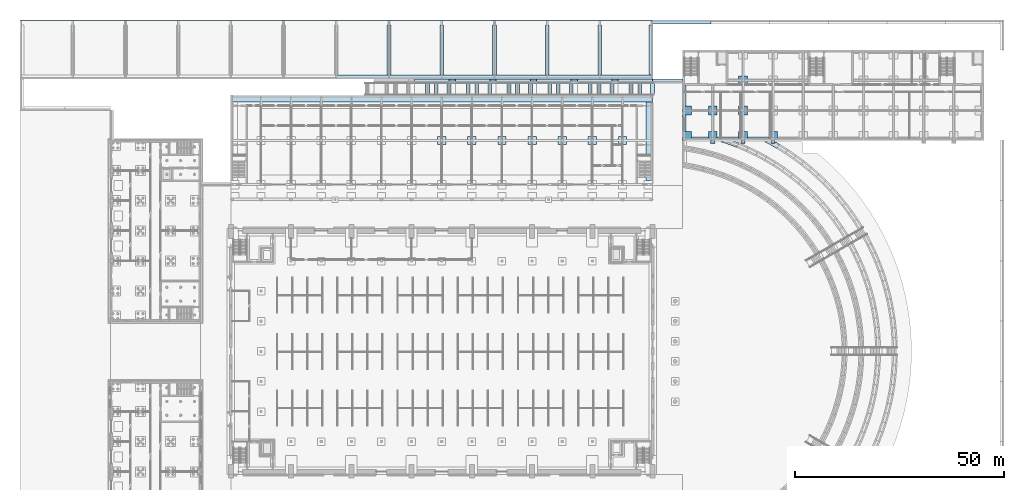
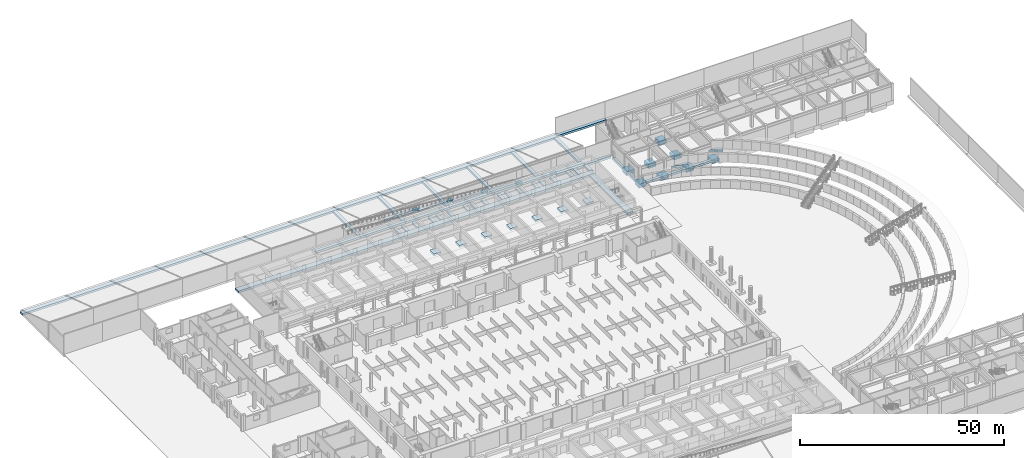
# One storey, part 12 of 73: 71 footings.
"""IFC4 building model written with IfcOpenShell, lengths in metres."""

from ifc_helpers import new_model, si_unit, direction, frame, origin, origin_2d, place, context, subcontext, project, spatial, polyline, rectangle, outline, extrude, material, type_object, element, save


model = new_model("IFC4")

# Units and contexts
model_context = context("Model", 3, precision=1e-05, world=origin(), true_north=direction((0.0, 1.0)))
body_context = subcontext(model_context, "Body", "Model", "MODEL_VIEW")
ifc_project = project(units=[si_unit("LENGTHUNIT", "METRE"), si_unit("AREAUNIT", "SQUARE_METRE"), si_unit("VOLUMEUNIT", "CUBIC_METRE"), si_unit("PLANEANGLEUNIT", "RADIAN"), si_unit("MASSUNIT", "GRAM", prefix="KILO")], contexts=[model_context])

# Site, building, storey
site_placement = place(None, origin())
site = spatial("IfcSite", under=ifc_project, at=site_placement, CompositionType="ELEMENT")
building_placement = place(site_placement, origin())
building = spatial("IfcBuilding", under=site, at=building_placement, Name="Alderwick Market Hall", CompositionType="ELEMENT")
storey_placement = place(building_placement, origin())
storey = spatial("IfcBuildingStorey", under=building, at=storey_placement, Name="LG", CompositionType="ELEMENT", Elevation=0.0)

# Footings
ifc_material = material(Name="Concrete 4000 psi (f'c 28 MPa)", Category="concrete")
footing_type_1 = type_object("IfcFootingType", Name="A Pad Footing 2000x2000x600", PredefinedType="PAD_FOOTING", material=ifc_material)
footing_1_placement = place(storey_placement, frame((0.0, 0.0, -0.60009765625)))
element("IfcFooting", 1, at=footing_1_placement, inside=storey, type_object=footing_type_1, Name="A.N.pad.M06", PredefinedType="PAD_FOOTING", context=body_context, shape_type="SweptSolid", body=[
    extrude(outline(polyline([(99.800048828125, 128.60009765625), (101.800048828125, 128.60009765625), (101.800048828125, 130.60009765625), (99.800048828125, 130.60009765625), (99.800048828125, 128.60009765625)])), origin(), (0.0, 0.0, 1.0), 0.60009765625),
])
footing_2_placement = place(storey_placement, frame((0.0, 0.0, -0.60009765625)))
element("IfcFooting", 2, at=footing_2_placement, inside=storey, type_object=footing_type_1, Name="A.N.pad.M07", PredefinedType="PAD_FOOTING", context=body_context, shape_type="SweptSolid", body=[
    extrude(outline(polyline([(107.0, 128.60009765625), (109.0, 128.60009765625), (109.0, 130.60009765625), (107.0, 130.60009765625), (107.0, 128.60009765625)])), origin(), (0.0, 0.0, 1.0), 0.60009765625),
])
footing_3_placement = place(storey_placement, frame((0.0, 0.0, -0.60009765625)))
element("IfcFooting", 3, at=footing_3_placement, inside=storey, type_object=footing_type_1, Name="A.N.pad.M08", PredefinedType="PAD_FOOTING", context=body_context, shape_type="SweptSolid", body=[
    extrude(outline(polyline([(114.199951171875, 128.60009765625), (116.199951171875, 128.60009765625), (116.199951171875, 130.60009765625), (114.199951171875, 130.60009765625), (114.199951171875, 128.60009765625)])), origin(), (0.0, 0.0, 1.0), 0.60009765625),
])
footing_4_placement = place(storey_placement, frame((0.0, 0.0, -0.60009765625)))
element("IfcFooting", 4, at=footing_4_placement, inside=storey, type_object=footing_type_1, Name="A.N.pad.M09", PredefinedType="PAD_FOOTING", context=body_context, shape_type="SweptSolid", body=[
    extrude(outline(polyline([(121.39990234375, 128.60009765625), (123.39990234375, 128.60009765625), (123.39990234375, 130.60009765625), (121.39990234375, 130.60009765625), (121.39990234375, 128.60009765625)])), origin(), (0.0, 0.0, 1.0), 0.60009765625),
])
footing_5_placement = place(storey_placement, frame((0.0, 0.0, -0.60009765625)))
element("IfcFooting", 5, at=footing_5_placement, inside=storey, type_object=footing_type_1, Name="A.N.pad.M10", PredefinedType="PAD_FOOTING", context=body_context, shape_type="SweptSolid", body=[
    extrude(outline(polyline([(128.60009765625, 128.60009765625), (130.60009765625, 128.60009765625), (130.60009765625, 130.60009765625), (128.60009765625, 130.60009765625), (128.60009765625, 128.60009765625)])), origin(), (0.0, 0.0, 1.0), 0.60009765625),
])
footing_6_placement = place(storey_placement, frame((0.0, 0.0, -0.60009765625)))
element("IfcFooting", 6, at=footing_6_placement, inside=storey, type_object=footing_type_1, Name="A.N.pad.M11", PredefinedType="PAD_FOOTING", context=body_context, shape_type="SweptSolid", body=[
    extrude(outline(polyline([(135.800048828125, 128.60009765625), (137.800048828125, 128.60009765625), (137.800048828125, 130.60009765625), (135.800048828125, 130.60009765625), (135.800048828125, 128.60009765625)])), origin(), (0.0, 0.0, 1.0), 0.60009765625),
])
footing_7_placement = place(storey_placement, frame((0.0, 0.0, -0.60009765625)))
element("IfcFooting", 7, at=footing_7_placement, inside=storey, type_object=footing_type_1, Name="A.N.pad.M12", PredefinedType="PAD_FOOTING", context=body_context, shape_type="SweptSolid", body=[
    extrude(outline(polyline([(143.0, 128.60009765625), (145.0, 128.60009765625), (145.0, 130.60009765625), (143.0, 130.60009765625), (143.0, 128.60009765625)])), origin(), (0.0, 0.0, 1.0), 0.60009765625),
])
footing_type_2 = type_object("IfcFootingType", Name="A Strip Footing 1600x600", PredefinedType="STRIP_FOOTING", material=ifc_material)
footing_8_placement = place(storey_placement, frame((0.0, 0.0, -0.60009765625)))
element("IfcFooting", 8, at=footing_8_placement, inside=storey, type_object=footing_type_2, Name="A.N.strip.rear", PredefinedType="STRIP_FOOTING", context=body_context, shape_type="SweptSolid", body=[
    extrude(outline(polyline([(50.39990234375, 138.800048828125), (151.199951171875, 138.800048828125), (151.199951171875, 140.39990234375), (50.39990234375, 140.39990234375), (50.39990234375, 138.800048828125)])), origin(), (0.0, 0.0, 1.0), 0.60009765625),
])
footing_9_placement = place(storey_placement, frame((0.0, 0.0, -0.60009765625)))
element("IfcFooting", 9, at=footing_9_placement, inside=storey, type_object=footing_type_2, Name="A.N.strip.E", PredefinedType="STRIP_FOOTING", context=body_context, shape_type="SweptSolid", body=[
    extrude(outline(polyline([(149.60009765625, 120.050048828125), (151.199951171875, 120.050048828125), (151.199951171875, 138.800048828125), (149.60009765625, 138.800048828125), (149.60009765625, 120.050048828125)])), origin(), (0.0, 0.0, 1.0), 0.60009765625),
])
footing_type_3 = type_object("IfcFootingType", Name="F Pad Footing 2100x2100x1200", PredefinedType="PAD_FOOTING", material=ifc_material)
for number, where, z_axis, x_axis, name in (
    (10, (159.449951171875, 130.64990234375, -1.5), (0.0, 0.0, 1.0), (1.0, 0.0, 0.0), "F.cap.LG.01"),
    (11, (165.60009765625, 130.64990234375, -1.5), (0.0, 0.0, 1.0), (1.0, 0.0, 0.0), "F.cap.LG.02"),
    (12, (172.800048828125, 130.64990234375, -1.5), (0.0, 0.0, 1.0), (1.0, 0.0, 0.0), "F.cap.LG.03"),
    (13, (180.0, 130.64990234375, -1.5), (0.0, 0.0, 1.0), (1.0, 0.0, 0.0), "F.cap.LG.04"),
    (14, (159.449951171875, 136.800048828125, -1.5), (0.0, 0.0, 1.0), (1.0, 0.0, 0.0), "F.cap.LG.12"),
    (15, (165.60009765625, 136.800048828125, -1.5), (0.0, 0.0, 1.0), (1.0, 0.0, 0.0), "F.cap.LG.13"),
    (16, (172.800048828125, 136.800048828125, -1.5), (0.0, 0.0, 1.0), (1.0, 0.0, 0.0), "F.cap.LG.14"),
    (17, (172.800048828125, 144.0, -1.5), (0.0, 0.0, 1.0), (1.0, 0.0, 0.0), "F.cap.LG.23"),
):
    element("IfcFooting", number, at=place(storey_placement, frame(where, z_axis=z_axis, x_axis=x_axis)), inside=storey, type_object=footing_type_3, Name=name, PredefinedType="PAD_FOOTING", context=body_context, shape_type="SweptSolid", body=[
        extrude(rectangle(XDim=2.10009765625, YDim=2.10009765625, at=origin_2d()), origin(), (0.0, 0.0, 1.0), 1.199951171875),
    ])
footing_type_4 = type_object("IfcFootingType", Name="F Pilaster Pad Footing 1000x700x600", PredefinedType="PAD_FOOTING", material=ifc_material)
for number, where, z_axis, x_axis, name in (
    (18, (165.60009765625, 129.25, -0.900146484375), (0.0, 0.0, 1.0), (1.0, 0.0, 0.0), "F.pilaster.foot.LG.001"),
    (19, (172.800048828125, 129.25, -0.900146484375), (0.0, 0.0, 1.0), (1.0, 0.0, 0.0), "F.pilaster.foot.LG.005"),
    (20, (180.0, 129.25, -0.900146484375), (0.0, 0.0, 1.0), (1.0, 0.0, 0.0), "F.pilaster.foot.LG.009"),
):
    element("IfcFooting", number, at=place(storey_placement, frame(where, z_axis=z_axis, x_axis=x_axis)), inside=storey, type_object=footing_type_4, Name=name, PredefinedType="PAD_FOOTING", context=body_context, shape_type="SweptSolid", body=[
        extrude(rectangle(XDim=1.0, YDim=0.699951171875, at=origin_2d()), origin(), (0.0, 0.0, 1.0), 0.60009765625),
    ])
footing_type_5 = type_object("IfcFootingType", Name="F Strip Footing 800x600", PredefinedType="STRIP_FOOTING", material=ifc_material)
footing_10_placement = place(storey_placement, frame((0.0, 0.0, -0.89990234375)))
element("IfcFooting", 21, at=footing_10_placement, inside=storey, type_object=footing_type_5, Name="F.strip.LG.01", PredefinedType="STRIP_FOOTING", context=body_context, shape_type="SweptSolid", body=[
    extrude(outline(polyline([(160.5009765625, 129.60009765625), (164.549072265625, 129.60009765625), (164.549072265625, 130.39990234375), (160.5009765625, 130.39990234375), (160.5009765625, 129.60009765625)])), origin(), (0.0, 0.0, 1.0), 0.599853515625),
])
footing_11_placement = place(storey_placement, frame((0.0, 0.0, -0.89990234375)))
element("IfcFooting", 22, at=footing_11_placement, inside=storey, type_object=footing_type_5, Name="F.strip.LG.02", PredefinedType="STRIP_FOOTING", context=body_context, shape_type="SweptSolid", body=[
    extrude(outline(polyline([(166.65087890625, 129.60009765625), (171.7490234375, 129.60009765625), (171.7490234375, 130.39990234375), (166.65087890625, 130.39990234375), (166.65087890625, 129.60009765625)])), origin(), (0.0, 0.0, 1.0), 0.599853515625),
])
footing_12_placement = place(storey_placement, frame((0.0, 0.0, -0.89990234375)))
element("IfcFooting", 23, at=footing_12_placement, inside=storey, type_object=footing_type_5, Name="F.strip.LG.03", PredefinedType="STRIP_FOOTING", context=body_context, shape_type="SweptSolid", body=[
    extrude(outline(polyline([(173.85107421875, 129.60009765625), (178.948974609375, 129.60009765625), (178.948974609375, 130.39990234375), (173.85107421875, 130.39990234375), (173.85107421875, 129.60009765625)])), origin(), (0.0, 0.0, 1.0), 0.599853515625),
])
footing_13_placement = place(storey_placement, frame((0.0, 0.0, -0.89990234375)))
element("IfcFooting", 24, at=footing_13_placement, inside=storey, type_object=footing_type_5, Name="F.strip.LG.18", PredefinedType="STRIP_FOOTING", context=body_context, shape_type="SweptSolid", body=[
    extrude(outline(polyline([(158.39990234375, 131.700927734375), (159.199951171875, 131.700927734375), (159.199951171875, 135.7490234375), (158.39990234375, 135.7490234375), (158.39990234375, 131.700927734375)])), origin(), (0.0, 0.0, 1.0), 0.599853515625),
])
footing_14_placement = place(storey_placement, frame((0.0, 0.0, -0.89990234375)))
element("IfcFooting", 25, at=footing_14_placement, inside=storey, type_object=footing_type_5, Name="F.strip.LG.19", PredefinedType="STRIP_FOOTING", context=body_context, shape_type="SweptSolid", body=[
    extrude(outline(polyline([(158.39990234375, 137.85107421875), (159.199951171875, 137.85107421875), (159.199951171875, 142.799072265625), (158.39990234375, 142.799072265625), (158.39990234375, 137.85107421875)])), origin(), (0.0, 0.0, 1.0), 0.599853515625),
])
footing_type_6 = type_object("IfcFootingType", Name="S Strip Footing 900", PredefinedType="STRIP_FOOTING", material=ifc_material)
footing_15_placement = place(storey_placement, frame((0.0, 0.0, 1.5)))
element("IfcFooting", 26, at=footing_15_placement, inside=storey, type_object=footing_type_6, Name="S.ffoot.W3.52", PredefinedType="STRIP_FOOTING", context=body_context, shape_type="SweptSolid", body=[
    extrude(outline(polyline([(171.783203125, 129.05517578125), (170.982177734375, 129.35009765625), (167.2890625, 129.35009765625), (167.322509765625, 129.340087890625), (168.189453125, 129.068603515625), (169.0517578125, 128.7822265625), (171.342529296875, 127.93896484375), (171.783203125, 129.05517578125)])), origin(), (0.0, 0.0, 1.0), 0.60009765625),
])
footing_16_placement = place(storey_placement, frame((0.0, 0.0, 2.699951171875)))
element("IfcFooting", 27, at=footing_16_placement, inside=storey, type_object=footing_type_6, Name="S.ffoot.W4.50", PredefinedType="STRIP_FOOTING", context=body_context, shape_type="SweptSolid", body=[
    extrude(outline(polyline([(181.53662109375, 128.710205078125), (180.408203125, 129.35009765625), (177.903076171875, 129.35009765625), (178.055419921875, 129.272705078125), (178.90673828125, 128.822021484375), (180.92333984375, 127.6787109375), (181.53662109375, 128.710205078125)])), origin(), (0.0, 0.0, 1.0), 0.60009765625),
])
footing_17_placement = place(storey_placement, frame((0.0, 0.0, -0.85009765625)))
element("IfcFooting", 28, at=footing_17_placement, inside=storey, type_object=footing_type_6, Name="S.tfoot.N.01", PredefinedType="STRIP_FOOTING", context=body_context, shape_type="SweptSolid", body=[
    extrude(outline(polyline([(158.39990234375, 143.39990234375), (158.39990234375, 144.300048828125), (151.199951171875, 144.300048828125), (151.199951171875, 143.39990234375), (158.39990234375, 143.39990234375)])), origin(), (0.0, 0.0, 1.0), 0.60009765625),
])
footing_18_placement = place(storey_placement, frame((0.0, 0.0, -0.85009765625)))
element("IfcFooting", 29, at=footing_18_placement, inside=storey, type_object=footing_type_6, Name="S.tfoot.N.02", PredefinedType="STRIP_FOOTING", context=body_context, shape_type="SweptSolid", body=[
    extrude(outline(polyline([(151.199951171875, 143.39990234375), (151.199951171875, 144.300048828125), (142.970947265625, 144.300048828125), (142.970947265625, 143.39990234375), (151.199951171875, 143.39990234375)])), origin(), (0.0, 0.0, 1.0), 0.60009765625),
])
footing_19_placement = place(storey_placement, frame((0.0, 0.0, -0.164306640625)))
element("IfcFooting", 30, at=footing_19_placement, inside=storey, type_object=footing_type_6, Name="S.tfoot.N.03", PredefinedType="STRIP_FOOTING", context=body_context, shape_type="SweptSolid", body=[
    extrude(outline(polyline([(142.970947265625, 143.39990234375), (142.970947265625, 144.300048828125), (141.470947265625, 144.300048828125), (141.470947265625, 143.39990234375), (142.970947265625, 143.39990234375)])), origin(), (0.0, 0.0, 1.0), 0.60009765625),
])
footing_20_placement = place(storey_placement, frame((0.0, 0.0, -0.164306640625)))
element("IfcFooting", 31, at=footing_20_placement, inside=storey, type_object=footing_type_6, Name="S.tfoot.N.04", PredefinedType="STRIP_FOOTING", context=body_context, shape_type="SweptSolid", body=[
    extrude(outline(polyline([(141.470947265625, 143.39990234375), (141.470947265625, 144.300048828125), (133.242919921875, 144.300048828125), (133.242919921875, 143.39990234375), (141.470947265625, 143.39990234375)])), origin(), (0.0, 0.0, 1.0), 0.60009765625),
])
footing_21_placement = place(storey_placement, frame((0.0, 0.0, 0.521484375)))
element("IfcFooting", 32, at=footing_21_placement, inside=storey, type_object=footing_type_6, Name="S.tfoot.N.05", PredefinedType="STRIP_FOOTING", context=body_context, shape_type="SweptSolid", body=[
    extrude(outline(polyline([(133.242919921875, 143.39990234375), (133.242919921875, 144.300048828125), (131.742919921875, 144.300048828125), (131.742919921875, 143.39990234375), (133.242919921875, 143.39990234375)])), origin(), (0.0, 0.0, 1.0), 0.599853515625),
])
footing_22_placement = place(storey_placement, frame((0.0, 0.0, 0.521484375)))
element("IfcFooting", 33, at=footing_22_placement, inside=storey, type_object=footing_type_6, Name="S.tfoot.N.06", PredefinedType="STRIP_FOOTING", context=body_context, shape_type="SweptSolid", body=[
    extrude(outline(polyline([(131.742919921875, 143.39990234375), (131.742919921875, 144.300048828125), (123.513916015625, 144.300048828125), (123.513916015625, 143.39990234375), (131.742919921875, 143.39990234375)])), origin(), (0.0, 0.0, 1.0), 0.599853515625),
])
footing_23_placement = place(storey_placement, frame((0.0, 0.0, 1.20703125)))
element("IfcFooting", 34, at=footing_23_placement, inside=storey, type_object=footing_type_6, Name="S.tfoot.N.07", PredefinedType="STRIP_FOOTING", context=body_context, shape_type="SweptSolid", body=[
    extrude(outline(polyline([(123.513916015625, 143.39990234375), (123.513916015625, 144.300048828125), (122.013916015625, 144.300048828125), (122.013916015625, 143.39990234375), (123.513916015625, 143.39990234375)])), origin(), (0.0, 0.0, 1.0), 0.60009765625),
])
footing_24_placement = place(storey_placement, frame((0.0, 0.0, 1.20703125)))
element("IfcFooting", 35, at=footing_24_placement, inside=storey, type_object=footing_type_6, Name="S.tfoot.N.08", PredefinedType="STRIP_FOOTING", context=body_context, shape_type="SweptSolid", body=[
    extrude(outline(polyline([(122.013916015625, 143.39990234375), (122.013916015625, 144.300048828125), (113.785888671875, 144.300048828125), (113.785888671875, 143.39990234375), (122.013916015625, 143.39990234375)])), origin(), (0.0, 0.0, 1.0), 0.60009765625),
])
footing_25_placement = place(storey_placement, frame((0.0, 0.0, 1.892822265625)))
element("IfcFooting", 36, at=footing_25_placement, inside=storey, type_object=footing_type_6, Name="S.tfoot.N.09", PredefinedType="STRIP_FOOTING", context=body_context, shape_type="SweptSolid", body=[
    extrude(outline(polyline([(113.785888671875, 143.39990234375), (113.785888671875, 144.300048828125), (112.285888671875, 144.300048828125), (112.285888671875, 143.39990234375), (113.785888671875, 143.39990234375)])), origin(), (0.0, 0.0, 1.0), 0.60009765625),
])
footing_26_placement = place(storey_placement, frame((0.0, 0.0, 1.892822265625)))
element("IfcFooting", 37, at=footing_26_placement, inside=storey, type_object=footing_type_6, Name="S.tfoot.N.10", PredefinedType="STRIP_FOOTING", context=body_context, shape_type="SweptSolid", body=[
    extrude(outline(polyline([(112.285888671875, 143.39990234375), (112.285888671875, 144.300048828125), (104.056884765625, 144.300048828125), (104.056884765625, 143.39990234375), (112.285888671875, 143.39990234375)])), origin(), (0.0, 0.0, 1.0), 0.60009765625),
])
footing_27_placement = place(storey_placement, frame((0.0, 0.0, 2.57861328125)))
element("IfcFooting", 38, at=footing_27_placement, inside=storey, type_object=footing_type_6, Name="S.tfoot.N.11", PredefinedType="STRIP_FOOTING", context=body_context, shape_type="SweptSolid", body=[
    extrude(outline(polyline([(104.056884765625, 143.39990234375), (104.056884765625, 144.300048828125), (102.556884765625, 144.300048828125), (102.556884765625, 143.39990234375), (104.056884765625, 143.39990234375)])), origin(), (0.0, 0.0, 1.0), 0.60009765625),
])
footing_28_placement = place(storey_placement, frame((0.0, 0.0, 2.57861328125)))
element("IfcFooting", 39, at=footing_28_placement, inside=storey, type_object=footing_type_6, Name="S.tfoot.N.12", PredefinedType="STRIP_FOOTING", context=body_context, shape_type="SweptSolid", body=[
    extrude(outline(polyline([(102.556884765625, 143.39990234375), (102.556884765625, 144.300048828125), (94.3291015625, 144.300048828125), (94.3291015625, 143.39990234375), (102.556884765625, 143.39990234375)])), origin(), (0.0, 0.0, 1.0), 0.60009765625),
])
footing_29_placement = place(storey_placement, frame((0.0, 0.0, -0.85009765625)))
element("IfcFooting", 40, at=footing_29_placement, inside=storey, type_object=footing_type_6, Name="Ramp support footing N1a", PredefinedType="STRIP_FOOTING", context=body_context, shape_type="SweptSolid", body=[
    extrude(outline(polyline([(151.64990234375, 140.39990234375), (151.64990234375, 143.39990234375), (150.75, 143.39990234375), (150.75, 140.39990234375), (151.64990234375, 140.39990234375)])), origin(), (0.0, 0.0, 1.0), 0.60009765625),
])
footing_30_placement = place(storey_placement, frame((0.0, 0.0, -0.85009765625)))
element("IfcFooting", 41, at=footing_30_placement, inside=storey, type_object=footing_type_6, Name="Ramp support footing N1b", PredefinedType="STRIP_FOOTING", context=body_context, shape_type="SweptSolid", body=[
    extrude(outline(polyline([(148.564208984375, 140.39990234375), (148.564208984375, 143.39990234375), (147.6640625, 143.39990234375), (147.6640625, 140.39990234375), (148.564208984375, 140.39990234375)])), origin(), (0.0, 0.0, 1.0), 0.60009765625),
])
footing_31_placement = place(storey_placement, frame((0.0, 0.0, -0.85009765625)))
element("IfcFooting", 42, at=footing_31_placement, inside=storey, type_object=footing_type_6, Name="Ramp support footing N1d", PredefinedType="STRIP_FOOTING", context=body_context, shape_type="SweptSolid", body=[
    extrude(outline(polyline([(146.5068359375, 140.39990234375), (146.5068359375, 143.39990234375), (145.60693359375, 143.39990234375), (145.60693359375, 140.39990234375), (146.5068359375, 140.39990234375)])), origin(), (0.0, 0.0, 1.0), 0.60009765625),
])
footing_32_placement = place(storey_placement, frame((0.0, 0.0, -0.85009765625)))
element("IfcFooting", 43, at=footing_32_placement, inside=storey, type_object=footing_type_6, Name="Ramp support footing N1c", PredefinedType="STRIP_FOOTING", context=body_context, shape_type="SweptSolid", body=[
    extrude(outline(polyline([(141.9208984375, 140.39990234375), (141.9208984375, 143.39990234375), (141.02099609375, 143.39990234375), (141.02099609375, 140.39990234375), (141.9208984375, 140.39990234375)])), origin(), (0.0, 0.0, 1.0), 0.60009765625),
])
footing_33_placement = place(storey_placement, frame((0.0, 0.0, -0.85009765625)))
element("IfcFooting", 44, at=footing_33_placement, inside=storey, type_object=footing_type_6, Name="Ramp support footing N2b", PredefinedType="STRIP_FOOTING", context=body_context, shape_type="SweptSolid", body=[
    extrude(outline(polyline([(138.83544921875, 140.39990234375), (138.83544921875, 143.39990234375), (137.935546875, 143.39990234375), (137.935546875, 140.39990234375), (138.83544921875, 140.39990234375)])), origin(), (0.0, 0.0, 1.0), 0.60009765625),
])
footing_34_placement = place(storey_placement, frame((0.0, 0.0, -0.85009765625)))
element("IfcFooting", 45, at=footing_34_placement, inside=storey, type_object=footing_type_6, Name="Ramp support footing N2d", PredefinedType="STRIP_FOOTING", context=body_context, shape_type="SweptSolid", body=[
    extrude(outline(polyline([(136.778564453125, 140.39990234375), (136.778564453125, 143.39990234375), (135.87841796875, 143.39990234375), (135.87841796875, 140.39990234375), (136.778564453125, 140.39990234375)])), origin(), (0.0, 0.0, 1.0), 0.60009765625),
])
footing_35_placement = place(storey_placement, frame((0.0, 0.0, -0.85009765625)))
element("IfcFooting", 46, at=footing_35_placement, inside=storey, type_object=footing_type_6, Name="Ramp support footing N2c", PredefinedType="STRIP_FOOTING", context=body_context, shape_type="SweptSolid", body=[
    extrude(outline(polyline([(132.193115234375, 140.39990234375), (132.193115234375, 143.39990234375), (131.29296875, 143.39990234375), (131.29296875, 140.39990234375), (132.193115234375, 140.39990234375)])), origin(), (0.0, 0.0, 1.0), 0.60009765625),
])
footing_36_placement = place(storey_placement, frame((0.0, 0.0, -0.85009765625)))
element("IfcFooting", 47, at=footing_36_placement, inside=storey, type_object=footing_type_6, Name="Ramp support footing N3b", PredefinedType="STRIP_FOOTING", context=body_context, shape_type="SweptSolid", body=[
    extrude(outline(polyline([(129.107177734375, 140.39990234375), (129.107177734375, 143.39990234375), (128.20703125, 143.39990234375), (128.20703125, 140.39990234375), (129.107177734375, 140.39990234375)])), origin(), (0.0, 0.0, 1.0), 0.60009765625),
])
footing_37_placement = place(storey_placement, frame((0.0, 0.0, -0.85009765625)))
element("IfcFooting", 48, at=footing_37_placement, inside=storey, type_object=footing_type_6, Name="Ramp support footing N3d", PredefinedType="STRIP_FOOTING", context=body_context, shape_type="SweptSolid", body=[
    extrude(outline(polyline([(127.0498046875, 140.39990234375), (127.0498046875, 143.39990234375), (126.14990234375, 143.39990234375), (126.14990234375, 140.39990234375), (127.0498046875, 140.39990234375)])), origin(), (0.0, 0.0, 1.0), 0.60009765625),
])
footing_38_placement = place(storey_placement, frame((0.0, 0.0, -0.85009765625)))
element("IfcFooting", 49, at=footing_38_placement, inside=storey, type_object=footing_type_6, Name="Ramp support footing N3c", PredefinedType="STRIP_FOOTING", context=body_context, shape_type="SweptSolid", body=[
    extrude(outline(polyline([(122.464111328125, 140.39990234375), (122.464111328125, 143.39990234375), (121.56396484375, 143.39990234375), (121.56396484375, 140.39990234375), (122.464111328125, 140.39990234375)])), origin(), (0.0, 0.0, 1.0), 0.60009765625),
])
footing_39_placement = place(storey_placement, frame((0.0, 0.0, -0.85009765625)))
element("IfcFooting", 50, at=footing_39_placement, inside=storey, type_object=footing_type_6, Name="Ramp support footing N4b", PredefinedType="STRIP_FOOTING", context=body_context, shape_type="SweptSolid", body=[
    extrude(outline(polyline([(119.37841796875, 140.39990234375), (119.37841796875, 143.39990234375), (118.478515625, 143.39990234375), (118.478515625, 140.39990234375), (119.37841796875, 140.39990234375)])), origin(), (0.0, 0.0, 1.0), 0.60009765625),
])
footing_40_placement = place(storey_placement, frame((0.0, 0.0, -0.85009765625)))
element("IfcFooting", 51, at=footing_40_placement, inside=storey, type_object=footing_type_6, Name="Ramp support footing N4d", PredefinedType="STRIP_FOOTING", context=body_context, shape_type="SweptSolid", body=[
    extrude(outline(polyline([(117.321533203125, 140.39990234375), (117.321533203125, 143.39990234375), (116.42138671875, 143.39990234375), (116.42138671875, 140.39990234375), (117.321533203125, 140.39990234375)])), origin(), (0.0, 0.0, 1.0), 0.60009765625),
])
footing_41_placement = place(storey_placement, frame((0.0, 0.0, -0.85009765625)))
element("IfcFooting", 52, at=footing_41_placement, inside=storey, type_object=footing_type_6, Name="Ramp support footing N4c", PredefinedType="STRIP_FOOTING", context=body_context, shape_type="SweptSolid", body=[
    extrude(outline(polyline([(112.736083984375, 140.39990234375), (112.736083984375, 143.39990234375), (111.8359375, 143.39990234375), (111.8359375, 140.39990234375), (112.736083984375, 140.39990234375)])), origin(), (0.0, 0.0, 1.0), 0.60009765625),
])
footing_42_placement = place(storey_placement, frame((0.0, 0.0, -0.85009765625)))
element("IfcFooting", 53, at=footing_42_placement, inside=storey, type_object=footing_type_6, Name="Ramp support footing N5b", PredefinedType="STRIP_FOOTING", context=body_context, shape_type="SweptSolid", body=[
    extrude(outline(polyline([(109.650146484375, 140.39990234375), (109.650146484375, 143.39990234375), (108.75, 143.39990234375), (108.75, 140.39990234375), (109.650146484375, 140.39990234375)])), origin(), (0.0, 0.0, 1.0), 0.60009765625),
])
footing_43_placement = place(storey_placement, frame((0.0, 0.0, -0.85009765625)))
element("IfcFooting", 54, at=footing_43_placement, inside=storey, type_object=footing_type_6, Name="Ramp support footing N5d", PredefinedType="STRIP_FOOTING", context=body_context, shape_type="SweptSolid", body=[
    extrude(outline(polyline([(107.593017578125, 140.39990234375), (107.593017578125, 143.39990234375), (106.69287109375, 143.39990234375), (106.69287109375, 140.39990234375), (107.593017578125, 140.39990234375)])), origin(), (0.0, 0.0, 1.0), 0.60009765625),
])
footing_44_placement = place(storey_placement, frame((0.0, 0.0, -0.85009765625)))
element("IfcFooting", 55, at=footing_44_placement, inside=storey, type_object=footing_type_6, Name="Ramp support footing N5c", PredefinedType="STRIP_FOOTING", context=body_context, shape_type="SweptSolid", body=[
    extrude(outline(polyline([(103.007080078125, 140.39990234375), (103.007080078125, 143.39990234375), (102.10693359375, 143.39990234375), (102.10693359375, 140.39990234375), (103.007080078125, 140.39990234375)])), origin(), (0.0, 0.0, 1.0), 0.60009765625),
])
footing_45_placement = place(storey_placement, frame((0.0, 0.0, -0.85009765625)))
element("IfcFooting", 56, at=footing_45_placement, inside=storey, type_object=footing_type_6, Name="Ramp support footing N6b", PredefinedType="STRIP_FOOTING", context=body_context, shape_type="SweptSolid", body=[
    extrude(outline(polyline([(99.92138671875, 140.39990234375), (99.92138671875, 143.39990234375), (99.021484375, 143.39990234375), (99.021484375, 140.39990234375), (99.92138671875, 140.39990234375)])), origin(), (0.0, 0.0, 1.0), 0.60009765625),
])
footing_46_placement = place(storey_placement, frame((0.0, 0.0, -0.85009765625)))
element("IfcFooting", 57, at=footing_46_placement, inside=storey, type_object=footing_type_6, Name="Ramp support footing N6d", PredefinedType="STRIP_FOOTING", context=body_context, shape_type="SweptSolid", body=[
    extrude(outline(polyline([(97.864501953125, 140.39990234375), (97.864501953125, 143.39990234375), (96.964599609375, 143.39990234375), (96.964599609375, 140.39990234375), (97.864501953125, 140.39990234375)])), origin(), (0.0, 0.0, 1.0), 0.60009765625),
])
footing_47_placement = place(storey_placement, frame((0.0, 0.0, -0.85009765625)))
element("IfcFooting", 58, at=footing_47_placement, inside=storey, type_object=footing_type_6, Name="S.berm.N.cfoot.07", PredefinedType="STRIP_FOOTING", context=body_context, shape_type="SweptSolid", body=[
    extrude(outline(polyline([(88.199951171875, 144.300048828125), (88.199951171875, 145.199951171875), (75.60009765625, 145.199951171875), (75.60009765625, 144.300048828125), (88.199951171875, 144.300048828125)])), origin(), (0.0, 0.0, 1.0), 0.60009765625),
])
footing_48_placement = place(storey_placement, frame((0.0, 0.0, -0.85009765625)))
element("IfcFooting", 59, at=footing_48_placement, inside=storey, type_object=footing_type_6, Name="S.berm.N.cfoot.08", PredefinedType="STRIP_FOOTING", context=body_context, shape_type="SweptSolid", body=[
    extrude(outline(polyline([(100.800048828125, 144.300048828125), (100.800048828125, 145.199951171875), (88.199951171875, 145.199951171875), (88.199951171875, 144.300048828125), (100.800048828125, 144.300048828125)])), origin(), (0.0, 0.0, 1.0), 0.60009765625),
])
footing_49_placement = place(storey_placement, frame((0.0, 0.0, -0.85009765625)))
element("IfcFooting", 60, at=footing_49_placement, inside=storey, type_object=footing_type_6, Name="S.berm.N.cfoot.09", PredefinedType="STRIP_FOOTING", context=body_context, shape_type="SweptSolid", body=[
    extrude(outline(polyline([(113.39990234375, 144.300048828125), (113.39990234375, 145.199951171875), (100.800048828125, 145.199951171875), (100.800048828125, 144.300048828125), (113.39990234375, 144.300048828125)])), origin(), (0.0, 0.0, 1.0), 0.60009765625),
])
footing_50_placement = place(storey_placement, frame((0.0, 0.0, -0.85009765625)))
element("IfcFooting", 61, at=footing_50_placement, inside=storey, type_object=footing_type_6, Name="S.berm.N.cfoot.10", PredefinedType="STRIP_FOOTING", context=body_context, shape_type="SweptSolid", body=[
    extrude(outline(polyline([(126.0, 144.300048828125), (126.0, 145.199951171875), (113.39990234375, 145.199951171875), (113.39990234375, 144.300048828125), (126.0, 144.300048828125)])), origin(), (0.0, 0.0, 1.0), 0.60009765625),
])
footing_51_placement = place(storey_placement, frame((0.0, 0.0, -0.85009765625)))
element("IfcFooting", 62, at=footing_51_placement, inside=storey, type_object=footing_type_6, Name="S.berm.N.cfoot.11", PredefinedType="STRIP_FOOTING", context=body_context, shape_type="SweptSolid", body=[
    extrude(outline(polyline([(138.60009765625, 144.300048828125), (138.60009765625, 145.199951171875), (126.0, 145.199951171875), (126.0, 144.300048828125), (138.60009765625, 144.300048828125)])), origin(), (0.0, 0.0, 1.0), 0.60009765625),
])
footing_52_placement = place(storey_placement, frame((0.0, 0.0, -0.85009765625)))
element("IfcFooting", 63, at=footing_52_placement, inside=storey, type_object=footing_type_6, Name="S.berm.N.cfoot.12", PredefinedType="STRIP_FOOTING", context=body_context, shape_type="SweptSolid", body=[
    extrude(outline(polyline([(151.199951171875, 144.300048828125), (151.199951171875, 145.199951171875), (138.60009765625, 145.199951171875), (138.60009765625, 144.300048828125), (151.199951171875, 144.300048828125)])), origin(), (0.0, 0.0, 1.0), 0.60009765625),
])
footing_53_placement = place(storey_placement, frame((0.0, 0.0, -0.85009765625)))
element("IfcFooting", 64, at=footing_53_placement, inside=storey, type_object=footing_type_6, Name="S.berm.N.xfoot.08", PredefinedType="STRIP_FOOTING", context=body_context, shape_type="SweptSolid", body=[
    extrude(outline(polyline([(88.64990234375, 145.199951171875), (88.64990234375, 157.199951171875), (87.75, 157.199951171875), (87.75, 145.199951171875), (88.64990234375, 145.199951171875)])), origin(), (0.0, 0.0, 1.0), 0.60009765625),
])
footing_54_placement = place(storey_placement, frame((0.0, 0.0, -0.85009765625)))
element("IfcFooting", 65, at=footing_54_placement, inside=storey, type_object=footing_type_6, Name="S.berm.N.xfoot.09", PredefinedType="STRIP_FOOTING", context=body_context, shape_type="SweptSolid", body=[
    extrude(outline(polyline([(101.25, 145.199951171875), (101.25, 157.199951171875), (100.35009765625, 157.199951171875), (100.35009765625, 145.199951171875), (101.25, 145.199951171875)])), origin(), (0.0, 0.0, 1.0), 0.60009765625),
])
footing_55_placement = place(storey_placement, frame((0.0, 0.0, -0.85009765625)))
element("IfcFooting", 66, at=footing_55_placement, inside=storey, type_object=footing_type_6, Name="S.berm.N.xfoot.10", PredefinedType="STRIP_FOOTING", context=body_context, shape_type="SweptSolid", body=[
    extrude(outline(polyline([(113.85009765625, 145.199951171875), (113.85009765625, 157.199951171875), (112.949951171875, 157.199951171875), (112.949951171875, 145.199951171875), (113.85009765625, 145.199951171875)])), origin(), (0.0, 0.0, 1.0), 0.60009765625),
])
footing_56_placement = place(storey_placement, frame((0.0, 0.0, -0.85009765625)))
element("IfcFooting", 67, at=footing_56_placement, inside=storey, type_object=footing_type_6, Name="S.berm.N.xfoot.11", PredefinedType="STRIP_FOOTING", context=body_context, shape_type="SweptSolid", body=[
    extrude(outline(polyline([(126.449951171875, 145.199951171875), (126.449951171875, 157.199951171875), (125.550048828125, 157.199951171875), (125.550048828125, 145.199951171875), (126.449951171875, 145.199951171875)])), origin(), (0.0, 0.0, 1.0), 0.60009765625),
])
footing_57_placement = place(storey_placement, frame((0.0, 0.0, -0.85009765625)))
element("IfcFooting", 68, at=footing_57_placement, inside=storey, type_object=footing_type_6, Name="S.berm.N.xfoot.12", PredefinedType="STRIP_FOOTING", context=body_context, shape_type="SweptSolid", body=[
    extrude(outline(polyline([(139.050048828125, 145.199951171875), (139.050048828125, 157.199951171875), (138.14990234375, 157.199951171875), (138.14990234375, 145.199951171875), (139.050048828125, 145.199951171875)])), origin(), (0.0, 0.0, 1.0), 0.60009765625),
])
footing_58_placement = place(storey_placement, frame((0.0, 0.0, -0.85009765625)))
element("IfcFooting", 69, at=footing_58_placement, inside=storey, type_object=footing_type_6, Name="S.berm.N.xfoot.13", PredefinedType="STRIP_FOOTING", context=body_context, shape_type="SweptSolid", body=[
    extrude(outline(polyline([(151.199951171875, 145.199951171875), (151.199951171875, 157.199951171875), (150.300048828125, 157.199951171875), (150.300048828125, 145.199951171875), (151.199951171875, 145.199951171875)])), origin(), (0.0, 0.0, 1.0), 0.60009765625),
])
footing_59_placement = place(storey_placement, frame((0.0, 0.0, -0.85009765625)))
element("IfcFooting", 70, at=footing_59_placement, inside=storey, type_object=footing_type_6, Name="S.berm.N.bfoot", PredefinedType="STRIP_FOOTING", context=body_context, shape_type="SweptSolid", body=[
    extrude(outline(polyline([(151.199951171875, 157.199951171875), (151.199951171875, 158.39990234375), (0.0, 158.39990234375), (0.0, 157.199951171875), (151.199951171875, 157.199951171875)])), origin(), (0.0, 0.0, 1.0), 0.60009765625),
])
footing_60_placement = place(storey_placement, frame((0.0, 0.0, -0.85009765625)))
element("IfcFooting", 71, at=footing_60_placement, inside=storey, type_object=footing_type_6, Name="S.bfoot.N02a", PredefinedType="STRIP_FOOTING", context=body_context, shape_type="SweptSolid", body=[
    extrude(outline(polyline([(151.199951171875, 158.39990234375), (151.199951171875, 157.5), (165.199951171875, 157.5), (165.199951171875, 158.39990234375), (151.199951171875, 158.39990234375)])), origin(), (0.0, 0.0, 1.0), 0.60009765625),
])

save(model, "model.ifc")
